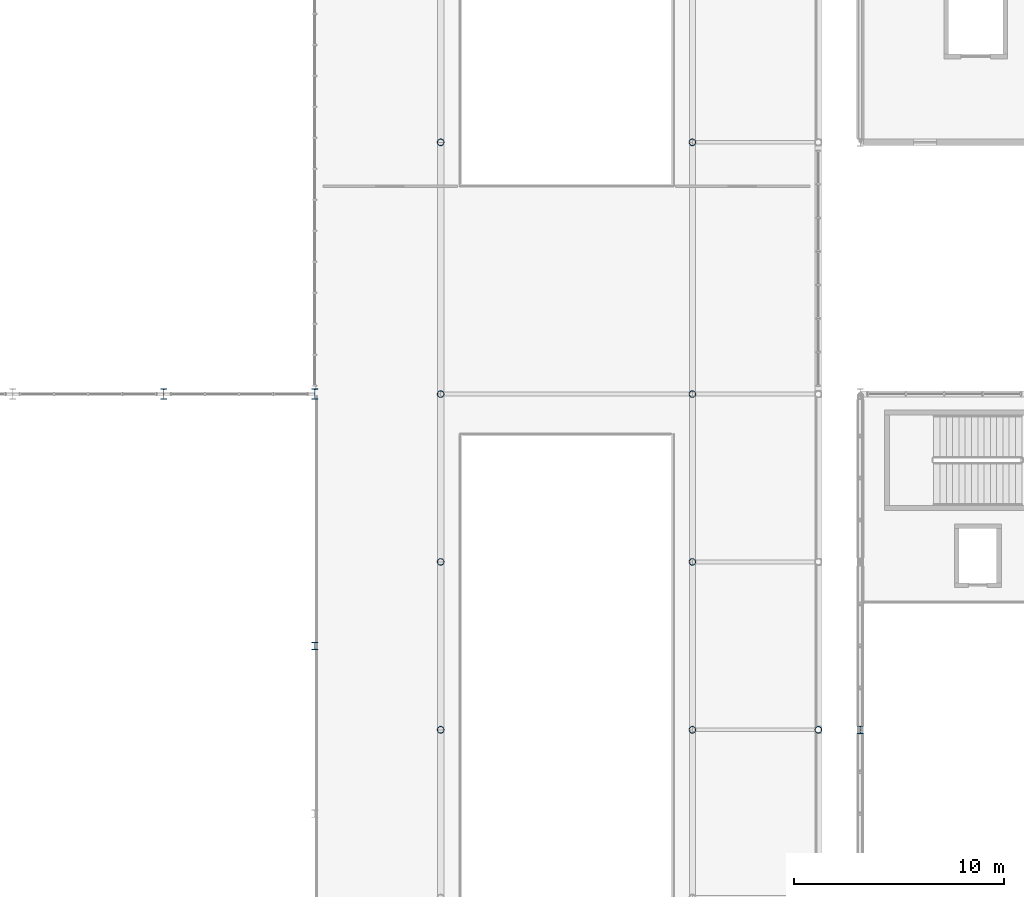
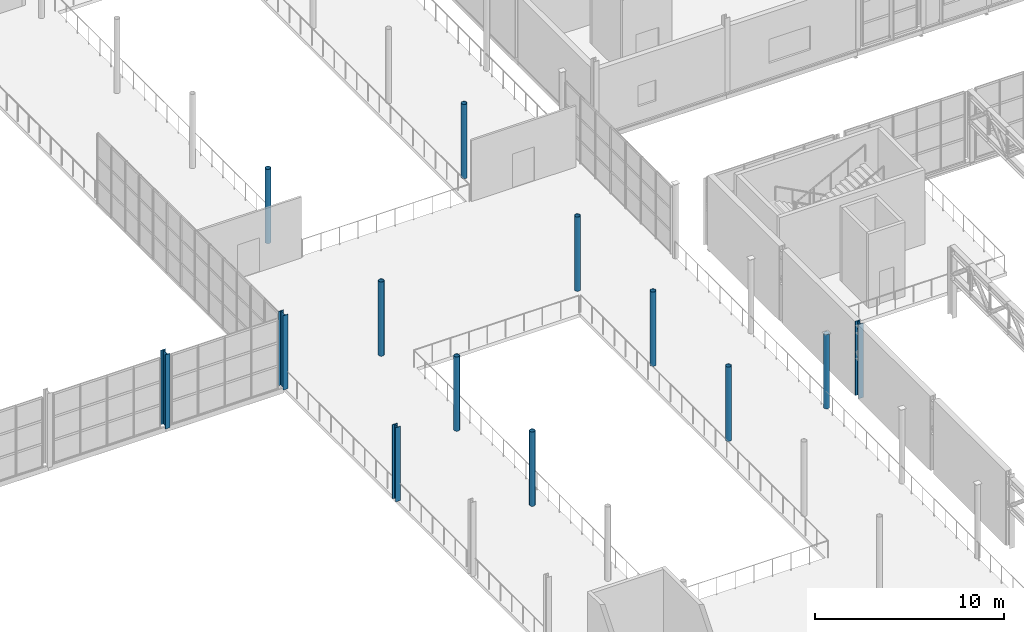
# One storey, part 7 of 143: 13 columns.
"""IFC4 building model written with IfcOpenShell, lengths in metres."""

from ifc_helpers import new_model, si_unit, derived_unit, direction, frame, origin, origin_2d, place, context, subcontext, project, spatial, hollow_circle, i_section, extrude, material, material_profile, profile_set, type_object, element, save


model = new_model("IFC4")

# Units and contexts
model_context = context("Model", 3, precision=1e-05, world=origin(), true_north=direction((0.0, 1.0)))
body_context = subcontext(model_context, "Body", "Model", "MODEL_VIEW")
ifc_project = project(units=[si_unit("LENGTHUNIT", "METRE"), si_unit("AREAUNIT", "SQUARE_METRE"), si_unit("VOLUMEUNIT", "CUBIC_METRE"), si_unit("PLANEANGLEUNIT", "RADIAN"), si_unit("MASSUNIT", "GRAM", prefix="KILO"), derived_unit("THERMALTRANSMITTANCEUNIT", [(si_unit("POWERUNIT", "WATT"), 1), (si_unit("LENGTHUNIT", "METRE"), -2), (si_unit("THERMODYNAMICTEMPERATUREUNIT", "KELVIN"), -1)])], contexts=[model_context])

# Site, building, storey
site_placement = place(None, origin())
site = spatial("IfcSite", under=ifc_project, at=site_placement, CompositionType="ELEMENT")
building_placement = place(site_placement, origin())
building = spatial("IfcBuilding", under=site, at=building_placement, Name="Keldorne Ridge Multi-Sports Centre", CompositionType="ELEMENT")
storey_placement = place(building_placement, frame((0.0, 0.0, 4.800048828125)))
storey = spatial("IfcBuildingStorey", under=building, at=storey_placement, Name="L01", CompositionType="ELEMENT", Elevation=4.800048828125)

# Columns
ifc_material = material(Name="Steel S355", Category="steel")
ifc_material_profile_1 = material_profile(ifc_material, i_section(OverallWidth=0.300048828125, OverallDepth=0.5, WebThickness=0.014404296875, FlangeThickness=0.028076171875, FilletRadius=0.027099609375, at=origin_2d()), Name="HEB 500")
ifc_profile_set_1 = profile_set([ifc_material_profile_1], Name="Steel S355")
column_type_1 = type_object("IfcColumnType", Name="COL-C-05", PredefinedType="COLUMN", material=ifc_profile_set_1)
for number, where, z_axis, x_axis, name in (
    (1, (70.800048828125, 54.0, 0.0), (0.0, 0.0, 1.0), (1.0, 0.0, 0.0), "Structural column V1-HALL-N-10 on L01"),
    (2, (78.0, 54.0, 0.0), (0.0, 0.0, 1.0), (1.0, 0.0, 0.0), "Structural column V1-HALL-N-11 on L01"),
):
    element("IfcColumn", number, at=place(storey_placement, frame(where, z_axis=z_axis, x_axis=x_axis)), inside=storey, type_object=column_type_1, Name=name, PredefinedType="COLUMN", context=body_context, shape_type="SweptSolid", body=[
        extrude(i_section(OverallWidth=0.300048828125, OverallDepth=0.5, WebThickness=0.014404296875, FlangeThickness=0.028076171875, FilletRadius=0.027099609375, at=origin_2d()), origin(), (0.0, 0.0, 1.0), 4.800048828125),
    ])
ifc_material_profile_2 = material_profile(ifc_material, hollow_circle(Radius=0.161865234375, WallThickness=0.01611328125, at=origin_2d()), Name="CHS 323.9x16")
ifc_profile_set_2 = profile_set([ifc_material_profile_2], Name="Steel S355")
column_type_2 = type_object("IfcColumnType", Name="COL-C-08", PredefinedType="COLUMN", material=ifc_profile_set_2)
for number, where, z_axis, x_axis, name in (
    (3, (84.0, 38.0, 0.0), (0.0, 0.0, 1.0), (1.0, 0.0, 0.0), "Structural column V4-G12-05 on L01"),
    (4, (96.0, 38.0, 0.0), (0.0, 0.0, 1.0), (1.0, 0.0, 0.0), "Structural column V4-G14-05 on L01"),
    (5, (102.0, 38.0, 0.0), (0.0, 0.0, 1.0), (1.0, 0.0, 0.0), "Structural column V4-G15-05 on L01"),
    (6, (84.0, 46.0, 0.0), (0.0, 0.0, 1.0), (1.0, 0.0, 0.0), "Structural column V4-G12-06 on L01"),
    (7, (96.0, 46.0, 0.0), (0.0, 0.0, 1.0), (1.0, 0.0, 0.0), "Structural column V4-G14-06 on L01"),
    (8, (84.0, 54.0, 0.0), (0.0, 0.0, 1.0), (1.0, 0.0, 0.0), "Structural column V4-G12-07 on L01"),
    (9, (96.0, 54.0, 0.0), (0.0, 0.0, 1.0), (1.0, 0.0, 0.0), "Structural column V4-G14-07 on L01"),
    (10, (84.0, 66.0, 0.0), (0.0, 0.0, 1.0), (1.0, 0.0, 0.0), "Structural column V4-G12-08 on L01"),
    (11, (96.0, 66.0, 0.0), (0.0, 0.0, 1.0), (1.0, 0.0, 0.0), "Structural column V4-G14-08 on L01"),
):
    element("IfcColumn", number, at=place(storey_placement, frame(where, z_axis=z_axis, x_axis=x_axis)), inside=storey, type_object=column_type_2, Name=name, PredefinedType="COLUMN", context=body_context, shape_type="SweptSolid", body=[
        extrude(hollow_circle(Radius=0.161865234375, WallThickness=0.01611328125, at=origin_2d()), origin(), (0.0, 0.0, 1.0), 4.800048828125),
    ])
ifc_material_profile_3 = material_profile(ifc_material, i_section(OverallWidth=0.300048828125, OverallDepth=0.360107421875, WebThickness=0.012451171875, FlangeThickness=0.0224609375, FilletRadius=0.027099609375, at=origin_2d()), Name="HEB 360")
ifc_profile_set_3 = profile_set([ifc_material_profile_3], Name="Steel S355")
column_type_3 = type_object("IfcColumnType", Name="COL-C-10", PredefinedType="COLUMN", material=ifc_profile_set_3)
for number, where, z_axis, x_axis, name in (
    (12, (78.0, 42.0, 0.0), (0.0, 0.0, 1.0), (1.0, 0.0, 0.0), "Structural column V1-GABLE-E-04 on L01"),
    (13, (104.0, 38.0, 0.0), (0.0, 0.0, 1.0), (1.0, 0.0, 0.0), "Structural column V2-GABLE-W-04 on L01"),
):
    element("IfcColumn", number, at=place(storey_placement, frame(where, z_axis=z_axis, x_axis=x_axis)), inside=storey, type_object=column_type_3, Name=name, PredefinedType="COLUMN", context=body_context, shape_type="SweptSolid", body=[
        extrude(i_section(OverallWidth=0.300048828125, OverallDepth=0.360107421875, WebThickness=0.012451171875, FlangeThickness=0.0224609375, FilletRadius=0.027099609375, at=origin_2d()), origin(), (0.0, 0.0, 1.0), 4.800048828125),
    ])

save(model, "model.ifc")
